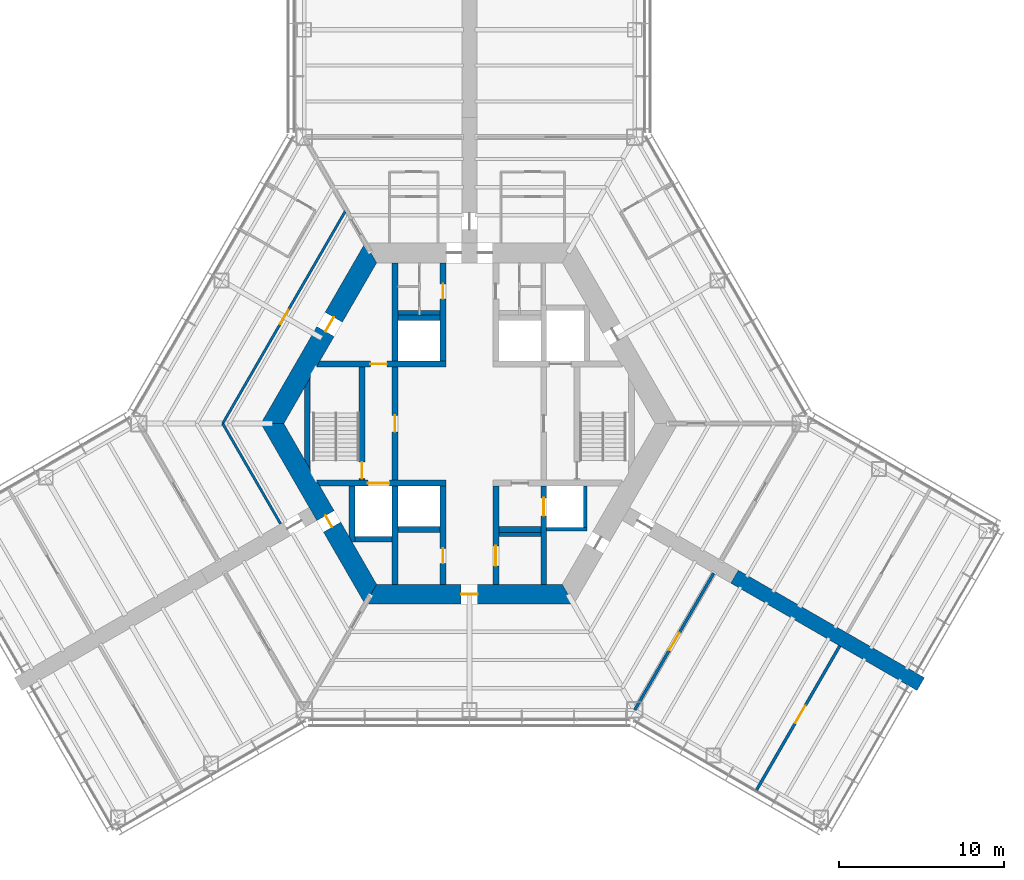
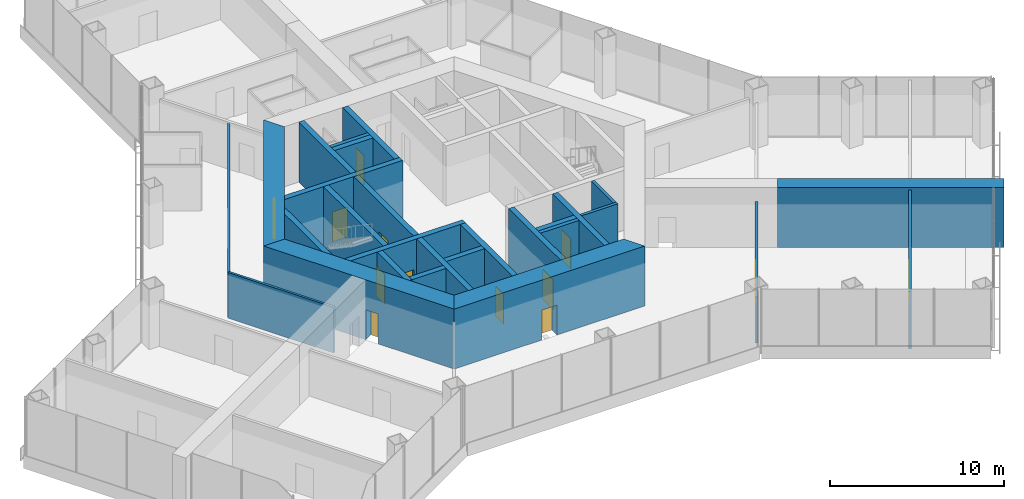
# One storey, part 11 of 16: 28 walls, 14 doors, 14 openings.
"""IFC4 building model written with IfcOpenShell, lengths in metres."""

from ifc_helpers import new_model, si_unit, direction, frame, frame_2d, origin, place, context, subcontext, project, spatial, polyline, rectangle, outline, extrude, material, layer, layer_set, type_object, element, fill, save


model = new_model("IFC4")

# Units and contexts
model_context = context("Model", 3, precision=1e-05, world=origin(), true_north=direction((0.0, 1.0)))
body_context = subcontext(model_context, "Body", "Model", "MODEL_VIEW")
ifc_project = project(units=[si_unit("LENGTHUNIT", "METRE"), si_unit("AREAUNIT", "SQUARE_METRE"), si_unit("VOLUMEUNIT", "CUBIC_METRE"), si_unit("PLANEANGLEUNIT", "RADIAN"), si_unit("MASSUNIT", "GRAM", prefix="KILO")], contexts=[model_context])

# Site, building, storey
site_placement = place(None, origin())
site = spatial("IfcSite", under=ifc_project, at=site_placement, CompositionType="ELEMENT")
building_placement = place(site_placement, origin())
building = spatial("IfcBuilding", under=site, at=building_placement, Name="Kasaneha Research Tower", CompositionType="ELEMENT")
storey_placement = place(building_placement, frame((0.0, 0.0, 10.0)))
storey = spatial("IfcBuildingStorey", under=building, at=storey_placement, Name="L03", CompositionType="ELEMENT", Elevation=10.0)

# Wall, opening, door
ifc_material_1 = material(Name="Concrete Fc100", Category="concrete")
ifc_layer_1 = layer(ifc_material_1, 0.35009765625)
ifc_layer_set_1 = layer_set([ifc_layer_1], Name="Core internal wall 350 Fc100")
wall_type_1 = type_object("IfcWallType", Name="Core internal wall 350 Fc100", PredefinedType="SHEAR", material=ifc_layer_set_1)
wall_1_placement = place(storey_placement, frame((-9.151123046875, 3.60009765625, 0.0), z_axis=(0.0, 0.0, 1.0), x_axis=(1.0, 0.0, 0.0)))
wall_1 = element("IfcWall", 1, at=wall_1_placement, inside=storey, type_object=wall_type_1, Name="Core wall W1W L03", PredefinedType="SHEAR", context=body_context, shape_type="SweptSolid", body=[
    extrude(outline(polyline([(-0.10107421875, -0.175048828125), (3.151123046875, -0.175048828125), (4.151123046875, -0.175048828125), (7.72607421875, -0.175048828125), (7.72607421875, 0.175048828125), (4.151123046875, 0.175048828125), (3.151123046875, 0.175048828125), (0.10107421875, 0.175048828125), (-0.10107421875, -0.175048828125)])), origin(), (0.0, 0.0, 1.0), 4.199951171875),
])
opening_1_placement = place(wall_1_placement, frame((3.151123046875, 0.0, 0.0)))
opening_1 = element("IfcOpeningElement", 2, at=opening_1_placement, cuts=wall_1, Name="Opening L03-D12", PredefinedType="OPENING", context=body_context, shape_type="SweptSolid", body=[
    extrude(rectangle(XDim=1.0, YDim=2.10009765625, at=frame_2d((0.5, 1.050048828125))), frame((0.0, 0.18505859375, 0.0), z_axis=(0.0, -1.0, 0.0), x_axis=(1.0, 0.0, 0.0)), (0.0, 0.0, 1.0), 0.3701171875),
])
ifc_material_2 = material(Name="Steel", Category="steel")
door_type_1 = type_object("IfcDoorType", Name="Specified fire door FD60 1000x2100", OperationType="NOTDEFINED", PredefinedType="DOOR", material=ifc_material_2)
door_1_placement = place(opening_1_placement, origin())
door_1 = element("IfcDoor", 3, at=door_1_placement, inside=storey, type_object=door_type_1, Name="Vestibule to lobby door L03-D12", OperationType="SINGLE_SWING_LEFT", OverallHeight=2.10009765625, OverallWidth=1.0, PredefinedType="DOOR", context=body_context, shape_type="SweptSolid", body=[
    extrude(rectangle(XDim=1.0, YDim=2.10009765625, at=frame_2d((0.5, 1.050048828125))), frame((0.0, 0.02490234375, 0.0), z_axis=(0.0, -1.0, 0.0), x_axis=(1.0, 0.0, 0.0)), (0.0, 0.0, 1.0), 0.050048828125),
])
fill(opening_1, door_1)

wall_2_placement = place(storey_placement, frame((-9.151123046875, -3.60009765625, 0.0), z_axis=(0.0, 0.0, 1.0), x_axis=(1.0, 0.0, 0.0)))
wall_2 = element("IfcWall", 4, at=wall_2_placement, inside=storey, type_object=wall_type_1, Name="Core wall W2W L03", PredefinedType="SHEAR", context=body_context, shape_type="SweptSolid", body=[
    extrude(outline(polyline([(0.10107421875, -0.175048828125), (3.0009765625, -0.175048828125), (4.301025390625, -0.175048828125), (7.72607421875, -0.175048828125), (7.72607421875, 0.175048828125), (4.301025390625, 0.175048828125), (3.0009765625, 0.175048828125), (-0.10107421875, 0.175048828125), (0.10107421875, -0.175048828125)])), origin(), (0.0, 0.0, 1.0), 4.199951171875),
])
opening_2_placement = place(wall_2_placement, frame((3.0009765625, 0.0, 0.0)))
opening_2 = element("IfcOpeningElement", 5, at=opening_2_placement, cuts=wall_2, Name="Opening LD-FL2-L03", PredefinedType="OPENING", context=body_context, shape_type="SweptSolid", body=[
    extrude(rectangle(XDim=1.300048828125, YDim=2.10009765625, at=frame_2d((0.64990234375, 1.050048828125))), frame((0.0, 0.18505859375, 0.0), z_axis=(0.0, -1.0, 0.0), x_axis=(1.0, 0.0, 0.0)), (0.0, 0.0, 1.0), 0.3701171875),
])
ifc_material_3 = material(Name="Steel", Category="steel")
door_type_2 = type_object("IfcDoorType", Name="Lift landing door 1300x2100", OperationType="DOUBLE_DOOR_SLIDING", PredefinedType="DOOR", material=ifc_material_3)
door_2_placement = place(opening_2_placement, origin())
door_2 = element("IfcDoor", 6, at=door_2_placement, inside=storey, type_object=door_type_2, Name="Landing door FL2 LD-FL2-L03", OperationType="DOUBLE_DOOR_SLIDING", OverallHeight=2.10009765625, OverallWidth=1.300048828125, PredefinedType="DOOR", context=body_context, shape_type="SweptSolid", body=[
    extrude(rectangle(XDim=1.300048828125, YDim=2.10009765625, at=frame_2d((0.64990234375, 1.050048828125))), frame((0.0, 0.02490234375, 0.0), z_axis=(0.0, -1.0, 0.0), x_axis=(1.0, 0.0, 0.0)), (0.0, 0.0, 1.0), 0.050048828125),
])
fill(opening_2, door_2)

wall_3_placement = place(storey_placement, frame((-1.60009765625, 3.77490234375, 0.0), z_axis=(0.0, 0.0, 1.0), x_axis=(0.0, 1.0, 0.0)))
wall_3 = element("IfcWall", 7, at=wall_3_placement, inside=storey, type_object=wall_type_1, Name="Core wall CNW L03", PredefinedType="SHEAR", context=body_context, shape_type="SweptSolid", body=[
    extrude(rectangle(XDim=5.9501953125, YDim=0.35009765625, at=frame_2d((2.97509765625, 0.0))), origin(), (0.0, 0.0, 1.0), 4.199951171875),
])
opening_3_placement = place(wall_3_placement, frame((3.77490234375, 0.0, 0.0)))
opening_3 = element("IfcOpeningElement", 8, at=opening_3_placement, cuts=wall_3, Name="Opening L03-D13", PredefinedType="OPENING", context=body_context, shape_type="SweptSolid", body=[
    extrude(rectangle(XDim=0.89990234375, YDim=2.10009765625, at=frame_2d((0.449951171875, 1.050048828125))), frame((0.0, 0.18505859375, 0.0), z_axis=(0.0, -1.0, 0.0), x_axis=(1.0, 0.0, 0.0)), (0.0, 0.0, 1.0), 0.3701171875),
])
ifc_material_4 = material(Name="Steel", Category="steel")
door_type_3 = type_object("IfcDoorType", Name="Toilet door FD20 900x2100", OperationType="NOTDEFINED", PredefinedType="DOOR", material=ifc_material_4)
door_3_placement = place(opening_3_placement, origin())
door_3 = element("IfcDoor", 9, at=door_3_placement, inside=storey, type_object=door_type_3, Name="Men's WC door L03-D13", OperationType="SINGLE_SWING_LEFT", OverallHeight=2.10009765625, OverallWidth=0.89990234375, PredefinedType="DOOR", context=body_context, shape_type="SweptSolid", body=[
    extrude(rectangle(XDim=0.89990234375, YDim=2.10009765625, at=frame_2d((0.449951171875, 1.050048828125))), frame((0.0, 0.02490234375, 0.0), z_axis=(0.0, -1.0, 0.0), x_axis=(1.0, 0.0, 0.0)), (0.0, 0.0, 1.0), 0.050048828125),
])
fill(opening_3, door_3)

wall_4_placement = place(storey_placement, frame((-1.60009765625, -3.77490234375, 0.0), z_axis=(0.0, 0.0, 1.0), x_axis=(0.0, -1.0, 0.0)))
wall_4 = element("IfcWall", 10, at=wall_4_placement, inside=storey, type_object=wall_type_1, Name="Core wall CSW L03", PredefinedType="SHEAR", context=body_context, shape_type="SweptSolid", body=[
    extrude(rectangle(XDim=5.9501953125, YDim=0.35009765625, at=frame_2d((2.97509765625, 0.0))), origin(), (0.0, 0.0, 1.0), 4.199951171875),
])
opening_4_placement = place(wall_4_placement, frame((3.77490234375, 0.0, 0.0)))
opening_4 = element("IfcOpeningElement", 11, at=opening_4_placement, cuts=wall_4, Name="Opening L03-D16", PredefinedType="OPENING", context=body_context, shape_type="SweptSolid", body=[
    extrude(rectangle(XDim=0.89990234375, YDim=2.10009765625, at=frame_2d((0.449951171875, 1.050048828125))), frame((0.0, 0.18505859375, 0.0), z_axis=(0.0, -1.0, 0.0), x_axis=(1.0, 0.0, 0.0)), (0.0, 0.0, 1.0), 0.3701171875),
])
ifc_material_5 = material(Name="Steel", Category="steel")
door_type_4 = type_object("IfcDoorType", Name="Riser access door FD60 900x2100", OperationType="NOTDEFINED", PredefinedType="DOOR", material=ifc_material_5)
door_4_placement = place(opening_4_placement, origin())
door_4 = element("IfcDoor", 12, at=door_4_placement, inside=storey, type_object=door_type_4, Name="Electrical riser door L03-D16", OperationType="SINGLE_SWING_LEFT", OverallHeight=2.10009765625, OverallWidth=0.89990234375, PredefinedType="DOOR", context=body_context, shape_type="SweptSolid", body=[
    extrude(rectangle(XDim=0.89990234375, YDim=2.10009765625, at=frame_2d((0.449951171875, 1.050048828125))), frame((0.0, 0.02490234375, 0.0), z_axis=(0.0, -1.0, 0.0), x_axis=(1.0, 0.0, 0.0)), (0.0, 0.0, 1.0), 0.050048828125),
])
fill(opening_4, door_4)

wall_5_placement = place(storey_placement, frame((1.60009765625, -3.77490234375, 0.0), z_axis=(0.0, 0.0, 1.0), x_axis=(0.0, -1.0, 0.0)))
wall_5 = element("IfcWall", 13, at=wall_5_placement, inside=storey, type_object=wall_type_1, Name="Core wall CSE L03", PredefinedType="SHEAR", context=body_context, shape_type="SweptSolid", body=[
    extrude(rectangle(XDim=5.9501953125, YDim=0.35009765625, at=frame_2d((2.97509765625, 0.0))), origin(), (0.0, 0.0, 1.0), 4.199951171875),
])
opening_5_placement = place(wall_5_placement, frame((3.625, 0.0, 0.0)))
opening_5 = element("IfcOpeningElement", 14, at=opening_5_placement, cuts=wall_5, Name="Opening L03-D15", PredefinedType="OPENING", context=body_context, shape_type="SweptSolid", body=[
    extrude(rectangle(XDim=1.199951171875, YDim=2.10009765625, at=frame_2d((0.60009765625, 1.050048828125))), frame((0.0, 0.18505859375, 0.0), z_axis=(0.0, -1.0, 0.0), x_axis=(1.0, 0.0, 0.0)), (0.0, 0.0, 1.0), 0.3701171875),
])
ifc_material_6 = material(Name="Steel", Category="steel")
door_type_5 = type_object("IfcDoorType", Name="Accessible toilet sliding door FD20 1200x2100", OperationType="SLIDING_TO_LEFT", PredefinedType="DOOR", material=ifc_material_6)
door_5_placement = place(opening_5_placement, origin())
door_5 = element("IfcDoor", 15, at=door_5_placement, inside=storey, type_object=door_type_5, Name="Accessible WC door L03-D15", OperationType="SLIDING_TO_LEFT", OverallHeight=2.10009765625, OverallWidth=1.199951171875, PredefinedType="DOOR", context=body_context, shape_type="SweptSolid", body=[
    extrude(rectangle(XDim=1.199951171875, YDim=2.10009765625, at=frame_2d((0.60009765625, 1.050048828125))), frame((0.0, 0.02490234375, 0.0), z_axis=(0.0, -1.0, 0.0), x_axis=(1.0, 0.0, 0.0)), (0.0, 0.0, 1.0), 0.050048828125),
])
fill(opening_5, door_5)

wall_6_placement = place(storey_placement, frame((-4.5, -3.425048828125, 0.0), z_axis=(0.0, 0.0, 1.0), x_axis=(0.0, 1.0, 0.0)))
wall_6 = element("IfcWall", 16, at=wall_6_placement, inside=storey, type_object=wall_type_1, Name="Core wall LBW L03", PredefinedType="SHEAR", context=body_context, shape_type="SweptSolid", body=[
    extrude(rectangle(XDim=6.85009765625, YDim=0.35009765625, at=frame_2d((3.425048828125, 0.0))), origin(), (0.0, 0.0, 1.0), 4.199951171875),
])
opening_6_placement = place(wall_6_placement, frame((2.925048828125, 0.0, 0.0)))
opening_6 = element("IfcOpeningElement", 17, at=opening_6_placement, cuts=wall_6, Name="Opening L03-D09", PredefinedType="OPENING", context=body_context, shape_type="SweptSolid", body=[
    extrude(rectangle(XDim=1.0, YDim=2.10009765625, at=frame_2d((0.5, 1.050048828125))), frame((0.0, 0.18505859375, 0.0), z_axis=(0.0, -1.0, 0.0), x_axis=(1.0, 0.0, 0.0)), (0.0, 0.0, 1.0), 0.3701171875),
])
door_6_placement = place(opening_6_placement, origin())
door_6 = element("IfcDoor", 18, at=door_6_placement, inside=storey, type_object=door_type_1, Name="Lift lobby door west L03-D09", OperationType="SINGLE_SWING_LEFT", OverallHeight=2.10009765625, OverallWidth=1.0, PredefinedType="DOOR", context=body_context, shape_type="SweptSolid", body=[
    extrude(rectangle(XDim=1.0, YDim=2.10009765625, at=frame_2d((0.5, 1.050048828125))), frame((0.0, 0.02490234375, 0.0), z_axis=(0.0, -1.0, 0.0), x_axis=(1.0, 0.0, 0.0)), (0.0, 0.0, 1.0), 0.050048828125),
])
fill(opening_6, door_6)

wall_7_placement = place(storey_placement, frame((-6.5, -3.425048828125, 0.0), z_axis=(0.0, 0.0, 1.0), x_axis=(0.0, 1.0, 0.0)))
wall_7 = element("IfcWall", 19, at=wall_7_placement, inside=storey, type_object=wall_type_1, Name="Core wall ANW L03", PredefinedType="SHEAR", context=body_context, shape_type="SweptSolid", body=[
    extrude(rectangle(XDim=6.85009765625, YDim=0.35009765625, at=frame_2d((3.425048828125, 0.0))), origin(), (0.0, 0.0, 1.0), 4.199951171875),
])
opening_7_placement = place(wall_7_placement, frame((0.10009765625, 0.0, 0.0)))
opening_7 = element("IfcOpeningElement", 20, at=opening_7_placement, cuts=wall_7, Name="Opening L03-D11", PredefinedType="OPENING", context=body_context, shape_type="SweptSolid", body=[
    extrude(rectangle(XDim=1.0, YDim=2.10009765625, at=frame_2d((0.5, 1.050048828125))), frame((0.0, 0.18505859375, 0.0), z_axis=(0.0, -1.0, 0.0), x_axis=(1.0, 0.0, 0.0)), (0.0, 0.0, 1.0), 0.3701171875),
])
door_7_placement = place(opening_7_placement, origin())
door_7 = element("IfcDoor", 21, at=door_7_placement, inside=storey, type_object=door_type_1, Name="Stair 2 door L03-D11", OperationType="SINGLE_SWING_LEFT", OverallHeight=2.10009765625, OverallWidth=1.0, PredefinedType="DOOR", context=body_context, shape_type="SweptSolid", body=[
    extrude(rectangle(XDim=1.0, YDim=2.10009765625, at=frame_2d((0.5, 1.050048828125))), frame((0.0, 0.02490234375, 0.0), z_axis=(0.0, -1.0, 0.0), x_axis=(1.0, 0.0, 0.0)), (0.0, 0.0, 1.0), 0.050048828125),
])
fill(opening_7, door_7)

# Walls
for number, where, z_axis, x_axis, name in (
    (22, (-4.5, 3.77490234375, 0.0), (0.0, 0.0, 1.0), (0.0, 1.0, 0.0), "Core wall VNW L03"),
    (23, (-4.5, -3.77490234375, 0.0), (0.0, 0.0, 1.0), (0.0, -1.0, 0.0), "Core wall SSW L03"),
):
    element("IfcWall", number, at=place(storey_placement, frame(where, z_axis=z_axis, x_axis=x_axis)), inside=storey, type_object=wall_type_1, Name=name, PredefinedType="SHEAR", context=body_context, shape_type="SweptSolid", body=[
        extrude(rectangle(XDim=5.9501953125, YDim=0.35009765625, at=frame_2d((2.97509765625, 0.0))), origin(), (0.0, 0.0, 1.0), 4.199951171875),
    ])

# Wall, opening, door
wall_8_placement = place(storey_placement, frame((4.5, -3.77490234375, 0.0), z_axis=(0.0, 0.0, 1.0), x_axis=(0.0, -1.0, 0.0)))
wall_8 = element("IfcWall", 24, at=wall_8_placement, inside=storey, type_object=wall_type_1, Name="Core wall SSE L03", PredefinedType="SHEAR", context=body_context, shape_type="SweptSolid", body=[
    extrude(rectangle(XDim=5.9501953125, YDim=0.35009765625, at=frame_2d((2.97509765625, 0.0))), origin(), (0.0, 0.0, 1.0), 4.199951171875),
])
opening_8_placement = place(wall_8_placement, frame((0.71240234375, 0.0, 0.0)))
opening_8 = element("IfcOpeningElement", 25, at=opening_8_placement, cuts=wall_8, Name="Opening LD-PL1-L03", PredefinedType="OPENING", context=body_context, shape_type="SweptSolid", body=[
    extrude(rectangle(XDim=1.10009765625, YDim=2.10009765625, at=frame_2d((0.550048828125, 1.050048828125))), frame((0.0, 0.18505859375, 0.0), z_axis=(0.0, -1.0, 0.0), x_axis=(1.0, 0.0, 0.0)), (0.0, 0.0, 1.0), 0.3701171875),
])
ifc_material_7 = material(Name="Steel", Category="steel")
door_type_6 = type_object("IfcDoorType", Name="Lift landing door 1100x2100", OperationType="DOUBLE_DOOR_SLIDING", PredefinedType="DOOR", material=ifc_material_7)
door_8_placement = place(opening_8_placement, origin())
door_8 = element("IfcDoor", 26, at=door_8_placement, inside=storey, type_object=door_type_6, Name="Landing door PL1 LD-PL1-L03", OperationType="DOUBLE_DOOR_SLIDING", OverallHeight=2.10009765625, OverallWidth=1.10009765625, PredefinedType="DOOR", context=body_context, shape_type="SweptSolid", body=[
    extrude(rectangle(XDim=1.10009765625, YDim=2.10009765625, at=frame_2d((0.550048828125, 1.050048828125))), frame((0.0, 0.02490234375, 0.0), z_axis=(0.0, -1.0, 0.0), x_axis=(1.0, 0.0, 0.0)), (0.0, 0.0, 1.0), 0.050048828125),
])
fill(opening_8, door_8)

# Walls
for number, where, z_axis, x_axis, name in (
    (27, (-4.324951171875, 6.39990234375, 0.0), (0.0, 0.0, 1.0), (1.0, 0.0, 0.0), "Core wall N1N L03"),
    (28, (-4.324951171875, -6.39990234375, 0.0), (0.0, 0.0, 1.0), (1.0, 0.0, 0.0), "Core wall S1S L03"),
    (29, (1.77490234375, -6.39990234375, 0.0), (0.0, 0.0, 1.0), (1.0, 0.0, 0.0), "Core wall S3S L03"),
):
    element("IfcWall", number, at=place(storey_placement, frame(where, z_axis=z_axis, x_axis=x_axis)), inside=storey, type_object=wall_type_1, Name=name, PredefinedType="SHEAR", context=body_context, shape_type="SweptSolid", body=[
        extrude(rectangle(XDim=2.550048828125, YDim=0.35009765625, at=frame_2d((1.27490234375, 0.0))), origin(), (0.0, 0.0, 1.0), 4.199951171875),
    ])
wall_9_placement = place(storey_placement, frame((-6.925048828125, -7.0, 0.0), z_axis=(0.0, 0.0, 1.0), x_axis=(1.0, 0.0, 0.0)))
element("IfcWall", 30, at=wall_9_placement, inside=storey, type_object=wall_type_1, Name="Core wall F2S L03", PredefinedType="SHEAR", context=body_context, shape_type="SweptSolid", body=[
    extrude(rectangle(XDim=2.25, YDim=0.35009765625, at=frame_2d((1.125, 0.0))), origin(), (0.0, 0.0, 1.0), 4.199951171875),
])
wall_10_placement = place(storey_placement, frame((-7.10009765625, -3.77490234375, 0.0), z_axis=(0.0, 0.0, 1.0), x_axis=(0.0, -1.0, 0.0)))
element("IfcWall", 31, at=wall_10_placement, inside=storey, type_object=wall_type_1, Name="Core wall F2W L03", PredefinedType="SHEAR", context=body_context, shape_type="SweptSolid", body=[
    extrude(outline(polyline([(0.0, -0.175048828125), (3.07421875, -0.175048828125), (3.37744140625, 0.0), (3.39990234375, 0.175048828125), (0.0, 0.175048828125), (0.0, -0.175048828125)])), origin(), (0.0, 0.0, 1.0), 4.199951171875),
])
wall_11_placement = place(storey_placement, frame((-9.807861328125, -2.462158203125, 0.0), z_axis=(0.0, 0.0, 1.0), x_axis=(0.0, 1.0, 0.0)))
element("IfcWall", 32, at=wall_11_placement, inside=storey, type_object=wall_type_1, Name="Core wall STW L03", PredefinedType="SHEAR", context=body_context, shape_type="SweptSolid", body=[
    extrude(outline(polyline([(-0.30322265625, -0.175048828125), (5.2275390625, -0.175048828125), (4.62109375, 0.175048828125), (0.30322265625, 0.175048828125), (-0.30322265625, -0.175048828125)])), origin(), (0.0, 0.0, 1.0), 4.199951171875),
])

# Wall, opening, door
ifc_material_8 = material(Name="Concrete Fc100", Category="concrete")
ifc_layer_2 = layer(ifc_material_8, 1.199951171875)
ifc_layer_set_2 = layer_set([ifc_layer_2], Name="Core wall 1200 Fc100")
wall_type_2 = type_object("IfcWallType", Name="Core wall 1200 Fc100", PredefinedType="SHEAR", material=ifc_layer_set_2)
wall_12_placement = place(storey_placement, frame((-5.961181640625, 10.324951171875, 0.0), z_axis=(0.0, 0.0, 1.0), x_axis=(-0.500004296715, -0.866022923061, 0.0)))
wall_12 = element("IfcWall", 33, at=wall_12_placement, inside=storey, type_object=wall_type_2, Name="Core wall 150 L03", PredefinedType="SHEAR", context=body_context, shape_type="SweptSolid", body=[
    extrude(outline(polyline([(-0.346435546875, -0.60009765625), (4.494140625, -0.60009765625), (5.494140625, -0.60009765625), (12.268798828125, -0.60009765625), (11.575927734375, 0.60009765625), (5.494140625, 0.60009765625), (4.494140625, 0.60009765625), (0.346435546875, 0.60009765625), (-0.346435546875, -0.60009765625)])), origin(), (0.0, 0.0, 1.0), 4.199951171875),
])
opening_9_placement = place(wall_12_placement, frame((4.494140625, 0.0, 0.0)))
opening_9 = element("IfcOpeningElement", 34, at=opening_9_placement, cuts=wall_12, Name="Opening L03-D07", PredefinedType="OPENING", context=body_context, shape_type="SweptSolid", body=[
    extrude(rectangle(XDim=1.0, YDim=2.10009765625, at=frame_2d((0.5, 1.050048828125))), frame((0.0, 0.60986328125, 0.0), z_axis=(0.0, -1.0, 0.0), x_axis=(1.0, 0.0, 0.0)), (0.0, 0.0, 1.0), 1.219970703125),
])
ifc_material_9 = material(Name="Steel", Category="steel")
door_type_7 = type_object("IfcDoorType", Name="Fire door FD20 1000x2100", OperationType="NOTDEFINED", PredefinedType="DOOR", material=ifc_material_9)
door_9_placement = place(opening_9_placement, origin())
door_9 = element("IfcDoor", 35, at=door_9_placement, inside=storey, type_object=door_type_7, Name="Vestibule door L03-D07", OperationType="SINGLE_SWING_LEFT", OverallHeight=2.10009765625, OverallWidth=1.0, PredefinedType="DOOR", context=body_context, shape_type="SweptSolid", body=[
    extrude(rectangle(XDim=1.0, YDim=2.10009765625, at=frame_2d((0.5, 1.050048828125))), frame((0.0, 0.02490234375, 0.0), z_axis=(0.0, -1.0, 0.0), x_axis=(1.0, 0.0, 0.0)), (0.0, 0.0, 1.0), 0.050048828125),
])
fill(opening_9, door_9)

wall_13_placement = place(storey_placement, frame((-11.92236328125, 0.0, 0.0), z_axis=(0.0, 0.0, 1.0), x_axis=(0.500004296715, -0.866022923061, 0.0)))
wall_13 = element("IfcWall", 36, at=wall_13_placement, inside=storey, type_object=wall_type_2, Name="Core wall 210 L03", PredefinedType="SHEAR", context=body_context, shape_type="SweptSolid", body=[
    extrude(outline(polyline([(-0.346435546875, -0.60009765625), (6.43115234375, -0.60009765625), (7.231201171875, -0.60009765625), (12.268798828125, -0.60009765625), (11.575927734375, 0.60009765625), (7.231201171875, 0.60009765625), (6.43115234375, 0.60009765625), (0.346435546875, 0.60009765625), (-0.346435546875, -0.60009765625)])), origin(), (0.0, 0.0, 1.0), 4.199951171875),
])
opening_10_placement = place(wall_13_placement, frame((6.43115234375, 0.0, 0.0)))
opening_10 = element("IfcOpeningElement", 37, at=opening_10_placement, cuts=wall_13, Name="Opening L03-D06", PredefinedType="OPENING", context=body_context, shape_type="SweptSolid", body=[
    extrude(rectangle(XDim=0.800048828125, YDim=2.10009765625, at=frame_2d((0.39990234375, 1.050048828125))), frame((0.0, 0.60986328125, 0.0), z_axis=(0.0, -1.0, 0.0), x_axis=(1.0, 0.0, 0.0)), (0.0, 0.0, 1.0), 1.219970703125),
])
ifc_material_10 = material(Name="Steel", Category="steel")
door_type_8 = type_object("IfcDoorType", Name="Riser access door FD60 800x2100", OperationType="NOTDEFINED", PredefinedType="DOOR", material=ifc_material_10)
door_10_placement = place(opening_10_placement, origin())
door_10 = element("IfcDoor", 38, at=door_10_placement, inside=storey, type_object=door_type_8, Name="Duct riser door L03-D06", OperationType="SINGLE_SWING_RIGHT", OverallHeight=2.10009765625, OverallWidth=0.800048828125, PredefinedType="DOOR", context=body_context, shape_type="SweptSolid", body=[
    extrude(rectangle(XDim=0.800048828125, YDim=2.10009765625, at=frame_2d((0.39990234375, 1.050048828125))), frame((0.0, 0.02490234375, 0.0), z_axis=(0.0, -1.0, 0.0), x_axis=(1.0, 0.0, 0.0)), (0.0, 0.0, 1.0), 0.050048828125),
])
fill(opening_10, door_10)

wall_14_placement = place(storey_placement, frame((-5.961181640625, -10.324951171875, 0.0), z_axis=(0.0, 0.0, 1.0), x_axis=(1.0, 0.0, 0.0)))
wall_14 = element("IfcWall", 39, at=wall_14_placement, inside=storey, type_object=wall_type_2, Name="Core wall 270 L03", PredefinedType="SHEAR", context=body_context, shape_type="SweptSolid", body=[
    extrude(outline(polyline([(-0.346435546875, -0.60009765625), (5.461181640625, -0.60009765625), (6.461181640625, -0.60009765625), (12.268798828125, -0.60009765625), (11.575927734375, 0.60009765625), (6.461181640625, 0.60009765625), (5.461181640625, 0.60009765625), (0.346435546875, 0.60009765625), (-0.346435546875, -0.60009765625)])), origin(), (0.0, 0.0, 1.0), 4.199951171875),
])
opening_11_placement = place(wall_14_placement, frame((5.461181640625, 0.0, 0.0)))
opening_11 = element("IfcOpeningElement", 40, at=opening_11_placement, cuts=wall_14, Name="Opening L03-D03", PredefinedType="OPENING", context=body_context, shape_type="SweptSolid", body=[
    extrude(rectangle(XDim=1.0, YDim=2.10009765625, at=frame_2d((0.5, 1.050048828125))), frame((0.0, 0.60986328125, 0.0), z_axis=(0.0, -1.0, 0.0), x_axis=(1.0, 0.0, 0.0)), (0.0, 0.0, 1.0), 1.219970703125),
])
door_11_placement = place(opening_11_placement, origin())
door_11 = element("IfcDoor", 41, at=door_11_placement, inside=storey, type_object=door_type_7, Name="Core door south L03-D03", OperationType="SINGLE_SWING_LEFT", OverallHeight=2.10009765625, OverallWidth=1.0, PredefinedType="DOOR", context=body_context, shape_type="SweptSolid", body=[
    extrude(rectangle(XDim=1.0, YDim=2.10009765625, at=frame_2d((0.5, 1.050048828125))), frame((0.0, 0.02490234375, 0.0), z_axis=(0.0, -1.0, 0.0), x_axis=(1.0, 0.0, 0.0)), (0.0, 0.0, 1.0), 0.050048828125),
])
fill(opening_11, door_11)

ifc_material_11 = material(Name="Gypsum board on steel studs, two layers each side", Category="steel")
ifc_layer_3 = layer(ifc_material_11, 0.175048828125)
ifc_layer_set_3 = layer_set([ifc_layer_3], Name="Laboratory fire partition 175")
wall_type_3 = type_object("IfcWallType", Name="Laboratory fire partition 175", PredefinedType="PARTITIONING", material=ifc_layer_set_3)
wall_15_placement = place(storey_placement, frame((14.77490234375, -9.050048828125, 0.0), z_axis=(0.0, 0.0, 1.0), x_axis=(-0.499993908199, -0.866028920859, 0.0)))
wall_15 = element("IfcWall", 42, at=wall_15_placement, inside=storey, type_object=wall_type_3, Name="Laboratory fire partition LABC-S L03", PredefinedType="PARTITIONING", context=body_context, shape_type="SweptSolid", body=[
    extrude(rectangle(XDim=9.5498046875, YDim=0.175048828125, at=frame_2d((4.77490234375, 0.0))), origin(), (0.0, 0.0, 1.0), 3.2080078125),
])
opening_12_placement = place(wall_15_placement, frame((4.175048828125, 0.0, 0.0)))
opening_12 = element("IfcOpeningElement", 43, at=opening_12_placement, cuts=wall_15, Name="Opening L03-D44", PredefinedType="OPENING", context=body_context, shape_type="SweptSolid", body=[
    extrude(rectangle(XDim=1.199951171875, YDim=2.10009765625, at=frame_2d((0.60009765625, 1.050048828125))), frame((0.0, 0.09765625, 0.0), z_axis=(0.0, -1.0, 0.0), x_axis=(1.0, 0.0, 0.0)), (0.0, 0.0, 1.0), 0.195068359375),
])
ifc_material_12 = material(Name="Steel", Category="steel")
door_type_9 = type_object("IfcDoorType", Name="Laboratory door FD60 1200x2100", OperationType="DOUBLE_DOOR_SINGLE_SWING", PredefinedType="DOOR", material=ifc_material_12)
door_12_placement = place(opening_12_placement, origin())
door_12 = element("IfcDoor", 44, at=door_12_placement, inside=storey, type_object=door_type_9, Name="Laboratory door L03-D44", OperationType="DOUBLE_DOOR_SINGLE_SWING", OverallHeight=2.10009765625, OverallWidth=1.199951171875, PredefinedType="DOOR", context=body_context, shape_type="SweptSolid", body=[
    extrude(rectangle(XDim=1.199951171875, YDim=2.10009765625, at=frame_2d((0.60009765625, 1.050048828125))), frame((0.0, 0.02490234375, 0.0), z_axis=(0.0, -1.0, 0.0), x_axis=(1.0, 0.0, 0.0)), (0.0, 0.0, 1.0), 0.050048828125),
])
fill(opening_12, door_12)

wall_16_placement = place(storey_placement, frame((22.39599609375, -13.449951171875, 0.0), z_axis=(0.0, 0.0, 1.0), x_axis=(-0.500005203629, -0.866022399447, 0.0)))
wall_16 = element("IfcWall", 45, at=wall_16_placement, inside=storey, type_object=wall_type_3, Name="Laboratory fire partition SUPC-S L03", PredefinedType="PARTITIONING", context=body_context, shape_type="SweptSolid", body=[
    extrude(rectangle(XDim=10.14013671875, YDim=0.175048828125, at=frame_2d((5.070068359375, 0.0))), origin(), (0.0, 0.0, 1.0), 4.0),
])
opening_13_placement = place(wall_16_placement, frame((4.175048828125, 0.0, 0.0)))
opening_13 = element("IfcOpeningElement", 46, at=opening_13_placement, cuts=wall_16, Name="Opening L03-D45", PredefinedType="OPENING", context=body_context, shape_type="SweptSolid", body=[
    extrude(rectangle(XDim=1.199951171875, YDim=2.10009765625, at=frame_2d((0.60009765625, 1.050048828125))), frame((0.0, 0.09765625, 0.0), z_axis=(0.0, -1.0, 0.0), x_axis=(1.0, 0.0, 0.0)), (0.0, 0.0, 1.0), 0.195068359375),
])
door_13_placement = place(opening_13_placement, origin())
door_13 = element("IfcDoor", 47, at=door_13_placement, inside=storey, type_object=door_type_9, Name="Laboratory support room door L03-D45", OperationType="DOUBLE_DOOR_SINGLE_SWING", OverallHeight=2.10009765625, OverallWidth=1.199951171875, PredefinedType="DOOR", context=body_context, shape_type="SweptSolid", body=[
    extrude(rectangle(XDim=1.199951171875, YDim=2.10009765625, at=frame_2d((0.60009765625, 1.050048828125))), frame((0.0, 0.02490234375, 0.0), z_axis=(0.0, -1.0, 0.0), x_axis=(1.0, 0.0, 0.0)), (0.0, 0.0, 1.0), 0.050048828125),
])
fill(opening_13, door_13)

# Walls
ifc_material_13 = material(Name="Concrete block", Category="concrete")
ifc_layer_4 = layer(ifc_material_13, 0.199951171875)
ifc_layer_set_4 = layer_set([ifc_layer_4], Name="Lift shaft wall 200")
wall_type_4 = type_object("IfcWallType", Name="Lift shaft wall 200", PredefinedType="STANDARD", material=ifc_layer_set_4)
wall_17_placement = place(storey_placement, frame((4.675048828125, -6.39990234375, 0.0), z_axis=(0.0, 0.0, 1.0), x_axis=(1.0, 0.0, 0.0)))
element("IfcWall", 48, at=wall_17_placement, inside=storey, type_object=wall_type_4, Name="Lift shaft wall P1S L03", PredefinedType="STANDARD", context=body_context, shape_type="SweptSolid", body=[
    extrude(rectangle(XDim=2.425048828125, YDim=0.199951171875, at=frame_2d((1.21240234375, 0.0))), origin(), (0.0, 0.0, 1.0), 4.199951171875),
])
wall_18_placement = place(storey_placement, frame((7.0, -3.77490234375, 0.0), z_axis=(0.0, 0.0, 1.0), x_axis=(0.0, -1.0, 0.0)))
element("IfcWall", 49, at=wall_18_placement, inside=storey, type_object=wall_type_4, Name="Lift shaft wall P1E L03", PredefinedType="STANDARD", context=body_context, shape_type="SweptSolid", body=[
    extrude(rectangle(XDim=2.525146484375, YDim=0.199951171875, at=frame_2d((1.2626953125, 0.0))), origin(), (0.0, 0.0, 1.0), 4.199951171875),
])
ifc_material_14 = material(Name="Concrete Fc100", Category="concrete")
ifc_layer_5 = layer(ifc_material_14, 0.89990234375)
ifc_layer_set_5 = layer_set([ifc_layer_5], Name="Spine wall 900 Fc100")
wall_type_5 = type_object("IfcWallType", Name="Spine wall 900 Fc100", PredefinedType="SHEAR", material=ifc_layer_set_5)
wall_19_placement = place(storey_placement, frame((16.039306640625, -9.26025390625, 0.0), z_axis=(0.0, 0.0, 1.0), x_axis=(0.866024837091, -0.50000098154, 0.0)))
element("IfcWall", 50, at=wall_19_placement, inside=storey, type_object=wall_type_5, Name="Spine wall C wing L03", PredefinedType="SHEAR", context=body_context, shape_type="SweptSolid", body=[
    extrude(rectangle(XDim=13.0, YDim=0.89990234375, at=frame_2d((6.5, 0.0))), origin(), (0.0, 0.0, 1.0), 4.199951171875),
])

# Wall, opening, door
ifc_material_15 = material(Name="Gypsum board on steel studs, two layers each side", Category="steel")
ifc_layer_6 = layer(ifc_material_15, 0.14990234375)
ifc_layer_set_6 = layer_set([ifc_layer_6], Name="Suite partition 150")
wall_type_6 = type_object("IfcWallType", Name="Suite partition 150", PredefinedType="PARTITIONING", material=ifc_layer_set_6)
wall_20_placement = place(storey_placement, frame((-14.924560546875, 0.0, 0.0), z_axis=(0.0, 0.0, 1.0), x_axis=(0.499998060015, 0.866026523833, 0.0)))
wall_20 = element("IfcWall", 51, at=wall_20_placement, inside=storey, type_object=wall_type_6, Name="Suite partition FBN01 L03", PredefinedType="PARTITIONING", context=body_context, shape_type="SweptSolid", body=[
    extrude(rectangle(XDim=14.9013671875, YDim=0.14990234375, at=frame_2d((7.45068359375, 0.0))), origin(), (0.0, 0.0, 1.0), 3.199951171875),
])
opening_14_placement = place(wall_20_placement, frame((6.95068359375, 0.0, 0.0)))
opening_14 = element("IfcOpeningElement", 52, at=opening_14_placement, cuts=wall_20, Name="Opening L03-D37", PredefinedType="OPENING", context=body_context, shape_type="SweptSolid", body=[
    extrude(rectangle(XDim=1.0, YDim=2.10009765625, at=frame_2d((0.5, 1.050048828125))), frame((0.0, 0.0849609375, 0.0), z_axis=(0.0, -1.0, 0.0), x_axis=(1.0, 0.0, 0.0)), (0.0, 0.0, 1.0), 0.169921875),
])
ifc_material_16 = material(Name="Steel", Category="steel")
door_type_10 = type_object("IfcDoorType", Name="Suite entrance door FD60 1000x2100", OperationType="NOTDEFINED", PredefinedType="DOOR", material=ifc_material_16)
door_14_placement = place(opening_14_placement, origin())
door_14 = element("IfcDoor", 53, at=door_14_placement, inside=storey, type_object=door_type_10, Name="Suite entrance door L03-D37", OperationType="SINGLE_SWING_RIGHT", OverallHeight=2.10009765625, OverallWidth=1.0, PredefinedType="DOOR", context=body_context, shape_type="SweptSolid", body=[
    extrude(rectangle(XDim=1.0, YDim=2.10009765625, at=frame_2d((0.5, 1.050048828125))), frame((0.0, 0.02490234375, 0.0), z_axis=(0.0, -1.0, 0.0), x_axis=(1.0, 0.0, 0.0)), (0.0, 0.0, 1.0), 0.050048828125),
])
fill(opening_14, door_14)

# Walls
wall_21_placement = place(storey_placement, frame((-11.428466796875, -6.055419921875, 0.0), z_axis=(0.0, 0.0, 1.0), x_axis=(-0.499999509601, 0.866025686916, 0.0)))
element("IfcWall", 54, at=wall_21_placement, inside=storey, type_object=wall_type_6, Name="Suite partition FBN02 L03", PredefinedType="PARTITIONING", context=body_context, shape_type="SweptSolid", body=[
    extrude(rectangle(XDim=6.9921875, YDim=0.14990234375, at=frame_2d((3.49609375, 0.0))), origin(), (0.0, 0.0, 1.0), 3.199951171875),
])
ifc_material_17 = material(Name="Concrete block lining", Category="concrete")
ifc_layer_7 = layer(ifc_material_17, 0.25)
ifc_layer_set_7 = layer_set([ifc_layer_7], Name="WC plumbing wall 250")
wall_type_7 = type_object("IfcWallType", Name="WC plumbing wall 250", PredefinedType="PLUMBINGWALL", material=ifc_layer_set_7)
for number, where, z_axis, x_axis, name in (
    (55, (-4.324951171875, 6.699951171875, 0.0), (0.0, 0.0, 1.0), (1.0, 0.0, 0.0), "WC plumbing wall M L03"),
    (56, (1.77490234375, -6.699951171875, 0.0), (0.0, 0.0, 1.0), (1.0, 0.0, 0.0), "WC plumbing wall A L03"),
):
    element("IfcWall", number, at=place(storey_placement, frame(where, z_axis=z_axis, x_axis=x_axis)), inside=storey, type_object=wall_type_7, Name=name, PredefinedType="PLUMBINGWALL", context=body_context, shape_type="SweptSolid", body=[
        extrude(rectangle(XDim=2.550048828125, YDim=0.25, at=frame_2d((1.27490234375, 0.0))), origin(), (0.0, 0.0, 1.0), 4.199951171875),
    ])

save(model, "model.ifc")
